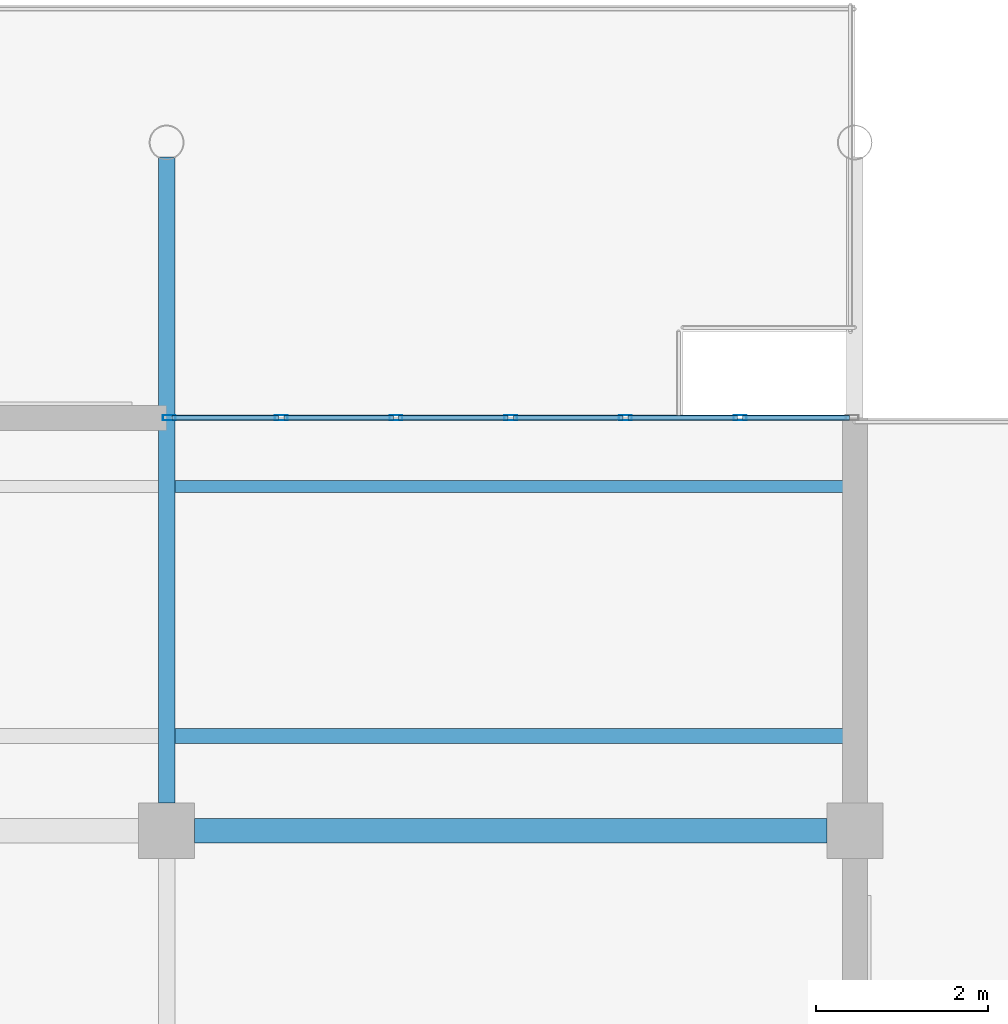
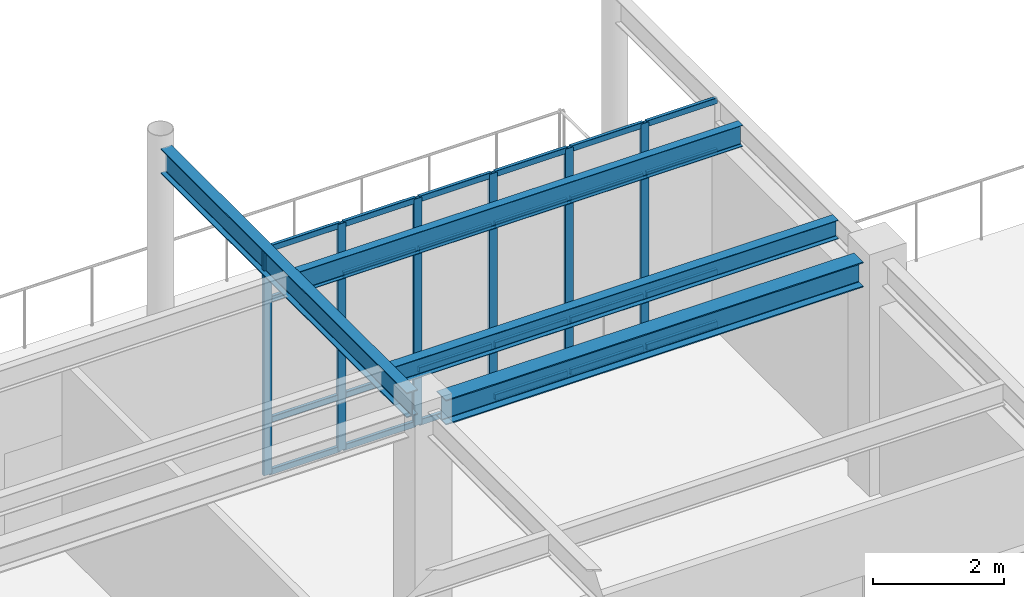
# One storey, part 27 of 75: 30 members, 4 beams, 1 element without a shape of its own.
"""IFC4 building model written with IfcOpenShell, lengths in metres."""

from ifc_helpers import new_model, si_unit, direction, frame, origin, origin_2d, place, context, subcontext, project, spatial, hollow_rectangle, i_section, extrude, material, material_profile, profile_set, type_object, element, aggregate, save


model = new_model("IFC4")

# Units and contexts
model_context = context("Model", 3, precision=1e-05, world=origin(), true_north=direction((0.0, 1.0)))
body_context = subcontext(model_context, "Body", "Model", "MODEL_VIEW")
ifc_project = project(units=[si_unit("LENGTHUNIT", "METRE"), si_unit("AREAUNIT", "SQUARE_METRE"), si_unit("VOLUMEUNIT", "CUBIC_METRE"), si_unit("PLANEANGLEUNIT", "RADIAN"), si_unit("MASSUNIT", "GRAM", prefix="KILO")], contexts=[model_context])

# Site, building, storey
site_placement = place(None, origin())
site = spatial("IfcSite", under=ifc_project, at=site_placement, CompositionType="ELEMENT")
building_placement = place(site_placement, origin())
building = spatial("IfcBuilding", under=site, at=building_placement, Name="Solmirada Galleria", CompositionType="ELEMENT")
storey_placement = place(building_placement, frame((0.0, 0.0, 19.39990234375)))
storey = spatial("IfcBuildingStorey", under=building, at=storey_placement, Name="L04", CompositionType="ELEMENT", Elevation=19.39990234375)

# Beams
ifc_material_1 = material(Name="Steel S355 / ASTM A992 Grade 50", Category="steel")
ifc_material_profile_1 = material_profile(ifc_material_1, i_section(OverallWidth=0.281982421875, OverallDepth=0.467041015625, WebThickness=0.01220703125, FlangeThickness=0.01953125, FilletRadius=0.013916015625, at=origin_2d()), Name="W18X86")
ifc_profile_set_1 = profile_set([ifc_material_profile_1], Name="Steel S355 / ASTM A992 Grade 50")
beam_type_1 = type_object("IfcBeamType", Name="BM-GIRD-W18A", PredefinedType="BEAM", material=ifc_profile_set_1)
beam_1_placement = place(storey_placement, frame((128.324951171875, 24.0, 4.026611328125), z_axis=(1.0, 0.0, 0.0), x_axis=(0.0, 1.0, 0.0)))
element("IfcBeam", 1, at=beam_1_placement, inside=storey, type_object=beam_type_1, Name="Primary beam L05 X(128..136, 24)", PredefinedType="BEAM", context=body_context, shape_type="SweptSolid", body=[
    extrude(i_section(OverallWidth=0.281982421875, OverallDepth=0.467041015625, WebThickness=0.01220703125, FlangeThickness=0.01953125, FilletRadius=0.013916015625, at=origin_2d()), origin(), (0.0, 0.0, 1.0), 7.35009765625),
])
ifc_material_profile_2 = material_profile(ifc_material_1, i_section(OverallWidth=0.193115234375, OverallDepth=0.466064453125, WebThickness=0.011474609375, FlangeThickness=0.01904296875, FilletRadius=0.013916015625, at=origin_2d()), Name="W18X65")
ifc_profile_set_2 = profile_set([ifc_material_profile_2], Name="Steel S355 / ASTM A992 Grade 50")
beam_type_2 = type_object("IfcBeamType", Name="BM-GIRD-W18C", PredefinedType="BEAM", material=ifc_profile_set_2)
beam_2_placement = place(storey_placement, frame((128.0, 24.324951171875, 4.027099609375), z_axis=(0.0, 1.0, 0.0), x_axis=(-1.0, 0.0, 0.0)))
element("IfcBeam", 2, at=beam_2_placement, inside=storey, type_object=beam_type_2, Name="Primary girder L05 Y(128, 24..32)", PredefinedType="BEAM", context=body_context, shape_type="SweptSolid", body=[
    extrude(i_section(OverallWidth=0.193115234375, OverallDepth=0.466064453125, WebThickness=0.011474609375, FlangeThickness=0.01904296875, FilletRadius=0.013916015625, at=origin_2d()), origin(), (0.0, 0.0, 1.0), 7.504638671875),
])
ifc_material_profile_3 = material_profile(ifc_material_1, i_section(OverallWidth=0.1708984375, OverallDepth=0.35205078125, WebThickness=0.0068359375, FlangeThickness=0.009765625, FilletRadius=0.010986328125, at=origin_2d()), Name="W14X30")
ifc_profile_set_3 = profile_set([ifc_material_profile_3], Name="Steel S355 / ASTM A992 Grade 50")
beam_type_3 = type_object("IfcBeamType", Name="BM-JST-W14B", PredefinedType="JOIST", material=ifc_profile_set_3)
beam_3_placement = place(storey_placement, frame((128.096435546875, 25.10009765625, 4.083984375), z_axis=(1.0, 0.0, 0.0), x_axis=(0.0, 1.0, 0.0)))
element("IfcBeam", 3, at=beam_3_placement, inside=storey, type_object=beam_type_3, Name="Terrace deck joist L05-TERR-SE X=128..136 (1)", PredefinedType="JOIST", context=body_context, shape_type="SweptSolid", body=[
    extrude(i_section(OverallWidth=0.1708984375, OverallDepth=0.35205078125, WebThickness=0.0068359375, FlangeThickness=0.009765625, FilletRadius=0.010986328125, at=origin_2d()), origin(), (0.0, 0.0, 1.0), 7.80712890625),
])
ifc_material_profile_4 = material_profile(ifc_material_1, i_section(OverallWidth=0.139892578125, OverallDepth=0.39892578125, WebThickness=0.00634765625, FlangeThickness=0.0087890625, FilletRadius=0.010986328125, at=origin_2d()), Name="W16X26")
ifc_profile_set_4 = profile_set([ifc_material_profile_4], Name="Steel S355 / ASTM A992 Grade 50")
beam_type_4 = type_object("IfcBeamType", Name="BM-JST-W16C", PredefinedType="JOIST", material=ifc_profile_set_4)
beam_4_placement = place(storey_placement, frame((128.096435546875, 28.0, 4.060546875), z_axis=(1.0, 0.0, 0.0), x_axis=(0.0, 1.0, 0.0)))
element("IfcBeam", 4, at=beam_4_placement, inside=storey, type_object=beam_type_4, Name="Composite floor joist L05 (128..136, 28.0)", PredefinedType="JOIST", context=body_context, shape_type="SweptSolid", body=[
    extrude(i_section(OverallWidth=0.139892578125, OverallDepth=0.39892578125, WebThickness=0.00634765625, FlangeThickness=0.0087890625, FilletRadius=0.010986328125, at=origin_2d()), origin(), (0.0, 0.0, 1.0), 7.80712890625),
])

# Curtain wall, members
ifc_material_2 = material(Name="Impact-resistant low-E double glazing", Category="glass")
curtain_wall_type = type_object("IfcCurtainWallType", Name="CW-FZ5-L04-B6-L080", PredefinedType="NOTDEFINED", material=ifc_material_2)
curtain_wall_placement = place(storey_placement, origin())
curtain_wall = element("IfcCurtainWall", 5, at=curtain_wall_placement, inside=storey, type_object=curtain_wall_type, Name="Terrace and arcade storefront CW-L04-162", PredefinedType="NOTDEFINED")
ifc_material_3 = material(Name="Anodised aluminium framing", Category="aluminium")
ifc_material_profile_5 = material_profile(ifc_material_3, hollow_rectangle(XDim=0.06005859375, YDim=0.14990234375, WallThickness=0.00341796875, InnerFilletRadius=0.00341796875, OuterFilletRadius=0.007080078125, at=origin_2d()), Name="ALU-MULL-150X60")
ifc_profile_set_5 = profile_set([ifc_material_profile_5], Name="Anodised aluminium framing")
member_type_1 = type_object("IfcMemberType", Name="CW-MULL-150", PredefinedType="MULLION", material=ifc_profile_set_5)
member_1_placement = place(storey_placement, frame((128.030029296875, 28.800048828125, 0.0), z_axis=(0.0, 0.0, 1.0), x_axis=(0.0, 1.0, 0.0)))
member_1 = element("IfcMember", 6, at=member_1_placement, type_object=member_type_1, Name="CW32 mullion 1", PredefinedType="MULLION", context=body_context, shape_type="SweptSolid", body=[
    extrude(hollow_rectangle(XDim=0.06005859375, YDim=0.14990234375, WallThickness=0.00341796875, InnerFilletRadius=0.00341796875, OuterFilletRadius=0.007080078125, at=origin_2d()), origin(), (0.0, 0.0, 1.0), 4.22021484375),
])
member_2_placement = place(storey_placement, frame((129.333251953125, 28.800048828125, 0.0), z_axis=(0.0, 0.0, 1.0), x_axis=(0.0, 1.0, 0.0)))
member_2 = element("IfcMember", 7, at=member_2_placement, type_object=member_type_1, Name="CW32 mullion 2", PredefinedType="MULLION", context=body_context, shape_type="SweptSolid", body=[
    extrude(hollow_rectangle(XDim=0.06005859375, YDim=0.14990234375, WallThickness=0.00341796875, InnerFilletRadius=0.00341796875, OuterFilletRadius=0.007080078125, at=origin_2d()), origin(), (0.0, 0.0, 1.0), 4.22021484375),
])
member_3_placement = place(storey_placement, frame((130.666748046875, 28.800048828125, 0.0), z_axis=(0.0, 0.0, 1.0), x_axis=(0.0, 1.0, 0.0)))
member_3 = element("IfcMember", 8, at=member_3_placement, type_object=member_type_1, Name="CW32 mullion 3", PredefinedType="MULLION", context=body_context, shape_type="SweptSolid", body=[
    extrude(hollow_rectangle(XDim=0.06005859375, YDim=0.14990234375, WallThickness=0.00341796875, InnerFilletRadius=0.00341796875, OuterFilletRadius=0.007080078125, at=origin_2d()), origin(), (0.0, 0.0, 1.0), 4.22021484375),
])
member_4_placement = place(storey_placement, frame((132.0, 28.800048828125, 0.0), z_axis=(0.0, 0.0, 1.0), x_axis=(0.0, 1.0, 0.0)))
member_4 = element("IfcMember", 9, at=member_4_placement, type_object=member_type_1, Name="CW32 mullion 4", PredefinedType="MULLION", context=body_context, shape_type="SweptSolid", body=[
    extrude(hollow_rectangle(XDim=0.06005859375, YDim=0.14990234375, WallThickness=0.00341796875, InnerFilletRadius=0.00341796875, OuterFilletRadius=0.007080078125, at=origin_2d()), origin(), (0.0, 0.0, 1.0), 4.22021484375),
])
member_5_placement = place(storey_placement, frame((133.333251953125, 28.800048828125, 0.0), z_axis=(0.0, 0.0, 1.0), x_axis=(0.0, 1.0, 0.0)))
member_5 = element("IfcMember", 10, at=member_5_placement, type_object=member_type_1, Name="CW32 mullion 5", PredefinedType="MULLION", context=body_context, shape_type="SweptSolid", body=[
    extrude(hollow_rectangle(XDim=0.06005859375, YDim=0.14990234375, WallThickness=0.00341796875, InnerFilletRadius=0.00341796875, OuterFilletRadius=0.007080078125, at=origin_2d()), origin(), (0.0, 0.0, 1.0), 4.22021484375),
])
member_6_placement = place(storey_placement, frame((134.666748046875, 28.800048828125, 0.0), z_axis=(0.0, 0.0, 1.0), x_axis=(0.0, 1.0, 0.0)))
member_6 = element("IfcMember", 11, at=member_6_placement, type_object=member_type_1, Name="CW32 mullion 6", PredefinedType="MULLION", context=body_context, shape_type="SweptSolid", body=[
    extrude(hollow_rectangle(XDim=0.06005859375, YDim=0.14990234375, WallThickness=0.00341796875, InnerFilletRadius=0.00341796875, OuterFilletRadius=0.007080078125, at=origin_2d()), origin(), (0.0, 0.0, 1.0), 4.22021484375),
])
ifc_material_profile_6 = material_profile(ifc_material_3, hollow_rectangle(XDim=0.06005859375, YDim=0.110107421875, WallThickness=0.003173828125, InnerFilletRadius=0.003173828125, OuterFilletRadius=0.00634765625, at=origin_2d()), Name="ALU-TRAN-110X60")
ifc_profile_set_6 = profile_set([ifc_material_profile_6], Name="Anodised aluminium framing")
member_type_2 = type_object("IfcMemberType", Name="CW-TRAN-110", PredefinedType="USERDEFINED", material=ifc_profile_set_6)
member_7_placement = place(storey_placement, frame((128.06005859375, 28.800048828125, 0.030029296875), z_axis=(1.0, 0.0, 0.0), x_axis=(0.0, 1.0, 0.0)))
member_7 = element("IfcMember", 12, at=member_7_placement, type_object=member_type_2, Name="CW32 transom 1.1", ObjectType="TRANSOM", PredefinedType="USERDEFINED", context=body_context, shape_type="SweptSolid", body=[
    extrude(hollow_rectangle(XDim=0.06005859375, YDim=0.110107421875, WallThickness=0.003173828125, InnerFilletRadius=0.003173828125, OuterFilletRadius=0.00634765625, at=origin_2d()), origin(), (0.0, 0.0, 1.0), 1.2431640625),
])
member_8_placement = place(storey_placement, frame((128.06005859375, 28.800048828125, 1.0), z_axis=(1.0, 0.0, 0.0), x_axis=(0.0, 1.0, 0.0)))
member_8 = element("IfcMember", 13, at=member_8_placement, type_object=member_type_2, Name="CW32 transom 1.2", ObjectType="TRANSOM", PredefinedType="USERDEFINED", context=body_context, shape_type="SweptSolid", body=[
    extrude(hollow_rectangle(XDim=0.06005859375, YDim=0.110107421875, WallThickness=0.003173828125, InnerFilletRadius=0.003173828125, OuterFilletRadius=0.00634765625, at=origin_2d()), origin(), (0.0, 0.0, 1.0), 1.2431640625),
])
member_9_placement = place(storey_placement, frame((128.06005859375, 28.800048828125, 3.239990234375), z_axis=(1.0, 0.0, 0.0), x_axis=(0.0, 1.0, 0.0)))
member_9 = element("IfcMember", 14, at=member_9_placement, type_object=member_type_2, Name="CW32 transom 1.3", ObjectType="TRANSOM", PredefinedType="USERDEFINED", context=body_context, shape_type="SweptSolid", body=[
    extrude(hollow_rectangle(XDim=0.06005859375, YDim=0.110107421875, WallThickness=0.003173828125, InnerFilletRadius=0.003173828125, OuterFilletRadius=0.00634765625, at=origin_2d()), origin(), (0.0, 0.0, 1.0), 1.2431640625),
])
member_10_placement = place(storey_placement, frame((128.06005859375, 28.800048828125, 4.190185546875), z_axis=(1.0, 0.0, 0.0), x_axis=(0.0, 1.0, 0.0)))
member_10 = element("IfcMember", 15, at=member_10_placement, type_object=member_type_2, Name="CW32 transom 1.4", ObjectType="TRANSOM", PredefinedType="USERDEFINED", context=body_context, shape_type="SweptSolid", body=[
    extrude(hollow_rectangle(XDim=0.06005859375, YDim=0.110107421875, WallThickness=0.003173828125, InnerFilletRadius=0.003173828125, OuterFilletRadius=0.00634765625, at=origin_2d()), origin(), (0.0, 0.0, 1.0), 1.2431640625),
])
member_11_placement = place(storey_placement, frame((129.36328125, 28.800048828125, 0.030029296875), z_axis=(1.0, 0.0, 0.0), x_axis=(0.0, 1.0, 0.0)))
member_11 = element("IfcMember", 16, at=member_11_placement, type_object=member_type_2, Name="CW32 transom 2.1", ObjectType="TRANSOM", PredefinedType="USERDEFINED", context=body_context, shape_type="SweptSolid", body=[
    extrude(hollow_rectangle(XDim=0.06005859375, YDim=0.110107421875, WallThickness=0.003173828125, InnerFilletRadius=0.003173828125, OuterFilletRadius=0.00634765625, at=origin_2d()), origin(), (0.0, 0.0, 1.0), 1.2734375),
])
member_12_placement = place(storey_placement, frame((129.36328125, 28.800048828125, 1.0), z_axis=(1.0, 0.0, 0.0), x_axis=(0.0, 1.0, 0.0)))
member_12 = element("IfcMember", 17, at=member_12_placement, type_object=member_type_2, Name="CW32 transom 2.2", ObjectType="TRANSOM", PredefinedType="USERDEFINED", context=body_context, shape_type="SweptSolid", body=[
    extrude(hollow_rectangle(XDim=0.06005859375, YDim=0.110107421875, WallThickness=0.003173828125, InnerFilletRadius=0.003173828125, OuterFilletRadius=0.00634765625, at=origin_2d()), origin(), (0.0, 0.0, 1.0), 1.2734375),
])
member_13_placement = place(storey_placement, frame((129.36328125, 28.800048828125, 3.239990234375), z_axis=(1.0, 0.0, 0.0), x_axis=(0.0, 1.0, 0.0)))
member_13 = element("IfcMember", 18, at=member_13_placement, type_object=member_type_2, Name="CW32 transom 2.3", ObjectType="TRANSOM", PredefinedType="USERDEFINED", context=body_context, shape_type="SweptSolid", body=[
    extrude(hollow_rectangle(XDim=0.06005859375, YDim=0.110107421875, WallThickness=0.003173828125, InnerFilletRadius=0.003173828125, OuterFilletRadius=0.00634765625, at=origin_2d()), origin(), (0.0, 0.0, 1.0), 1.2734375),
])
member_14_placement = place(storey_placement, frame((129.36328125, 28.800048828125, 4.190185546875), z_axis=(1.0, 0.0, 0.0), x_axis=(0.0, 1.0, 0.0)))
member_14 = element("IfcMember", 19, at=member_14_placement, type_object=member_type_2, Name="CW32 transom 2.4", ObjectType="TRANSOM", PredefinedType="USERDEFINED", context=body_context, shape_type="SweptSolid", body=[
    extrude(hollow_rectangle(XDim=0.06005859375, YDim=0.110107421875, WallThickness=0.003173828125, InnerFilletRadius=0.003173828125, OuterFilletRadius=0.00634765625, at=origin_2d()), origin(), (0.0, 0.0, 1.0), 1.2734375),
])
member_15_placement = place(storey_placement, frame((130.69677734375, 28.800048828125, 0.030029296875), z_axis=(1.0, 0.0, 0.0), x_axis=(0.0, 1.0, 0.0)))
member_15 = element("IfcMember", 20, at=member_15_placement, type_object=member_type_2, Name="CW32 transom 3.1", ObjectType="TRANSOM", PredefinedType="USERDEFINED", context=body_context, shape_type="SweptSolid", body=[
    extrude(hollow_rectangle(XDim=0.06005859375, YDim=0.110107421875, WallThickness=0.003173828125, InnerFilletRadius=0.003173828125, OuterFilletRadius=0.00634765625, at=origin_2d()), origin(), (0.0, 0.0, 1.0), 1.273193359375),
])
member_16_placement = place(storey_placement, frame((130.69677734375, 28.800048828125, 1.0), z_axis=(1.0, 0.0, 0.0), x_axis=(0.0, 1.0, 0.0)))
member_16 = element("IfcMember", 21, at=member_16_placement, type_object=member_type_2, Name="CW32 transom 3.2", ObjectType="TRANSOM", PredefinedType="USERDEFINED", context=body_context, shape_type="SweptSolid", body=[
    extrude(hollow_rectangle(XDim=0.06005859375, YDim=0.110107421875, WallThickness=0.003173828125, InnerFilletRadius=0.003173828125, OuterFilletRadius=0.00634765625, at=origin_2d()), origin(), (0.0, 0.0, 1.0), 1.273193359375),
])
member_17_placement = place(storey_placement, frame((130.69677734375, 28.800048828125, 3.239990234375), z_axis=(1.0, 0.0, 0.0), x_axis=(0.0, 1.0, 0.0)))
member_17 = element("IfcMember", 22, at=member_17_placement, type_object=member_type_2, Name="CW32 transom 3.3", ObjectType="TRANSOM", PredefinedType="USERDEFINED", context=body_context, shape_type="SweptSolid", body=[
    extrude(hollow_rectangle(XDim=0.06005859375, YDim=0.110107421875, WallThickness=0.003173828125, InnerFilletRadius=0.003173828125, OuterFilletRadius=0.00634765625, at=origin_2d()), origin(), (0.0, 0.0, 1.0), 1.273193359375),
])
member_18_placement = place(storey_placement, frame((130.69677734375, 28.800048828125, 4.190185546875), z_axis=(1.0, 0.0, 0.0), x_axis=(0.0, 1.0, 0.0)))
member_18 = element("IfcMember", 23, at=member_18_placement, type_object=member_type_2, Name="CW32 transom 3.4", ObjectType="TRANSOM", PredefinedType="USERDEFINED", context=body_context, shape_type="SweptSolid", body=[
    extrude(hollow_rectangle(XDim=0.06005859375, YDim=0.110107421875, WallThickness=0.003173828125, InnerFilletRadius=0.003173828125, OuterFilletRadius=0.00634765625, at=origin_2d()), origin(), (0.0, 0.0, 1.0), 1.273193359375),
])
member_19_placement = place(storey_placement, frame((132.030029296875, 28.800048828125, 0.030029296875), z_axis=(1.0, 0.0, 0.0), x_axis=(0.0, 1.0, 0.0)))
member_19 = element("IfcMember", 24, at=member_19_placement, type_object=member_type_2, Name="CW32 transom 4.1", ObjectType="TRANSOM", PredefinedType="USERDEFINED", context=body_context, shape_type="SweptSolid", body=[
    extrude(hollow_rectangle(XDim=0.06005859375, YDim=0.110107421875, WallThickness=0.003173828125, InnerFilletRadius=0.003173828125, OuterFilletRadius=0.00634765625, at=origin_2d()), origin(), (0.0, 0.0, 1.0), 1.273193359375),
])
member_20_placement = place(storey_placement, frame((132.030029296875, 28.800048828125, 1.0), z_axis=(1.0, 0.0, 0.0), x_axis=(0.0, 1.0, 0.0)))
member_20 = element("IfcMember", 25, at=member_20_placement, type_object=member_type_2, Name="CW32 transom 4.2", ObjectType="TRANSOM", PredefinedType="USERDEFINED", context=body_context, shape_type="SweptSolid", body=[
    extrude(hollow_rectangle(XDim=0.06005859375, YDim=0.110107421875, WallThickness=0.003173828125, InnerFilletRadius=0.003173828125, OuterFilletRadius=0.00634765625, at=origin_2d()), origin(), (0.0, 0.0, 1.0), 1.273193359375),
])
member_21_placement = place(storey_placement, frame((132.030029296875, 28.800048828125, 3.239990234375), z_axis=(1.0, 0.0, 0.0), x_axis=(0.0, 1.0, 0.0)))
member_21 = element("IfcMember", 26, at=member_21_placement, type_object=member_type_2, Name="CW32 transom 4.3", ObjectType="TRANSOM", PredefinedType="USERDEFINED", context=body_context, shape_type="SweptSolid", body=[
    extrude(hollow_rectangle(XDim=0.06005859375, YDim=0.110107421875, WallThickness=0.003173828125, InnerFilletRadius=0.003173828125, OuterFilletRadius=0.00634765625, at=origin_2d()), origin(), (0.0, 0.0, 1.0), 1.273193359375),
])
member_22_placement = place(storey_placement, frame((132.030029296875, 28.800048828125, 4.190185546875), z_axis=(1.0, 0.0, 0.0), x_axis=(0.0, 1.0, 0.0)))
member_22 = element("IfcMember", 27, at=member_22_placement, type_object=member_type_2, Name="CW32 transom 4.4", ObjectType="TRANSOM", PredefinedType="USERDEFINED", context=body_context, shape_type="SweptSolid", body=[
    extrude(hollow_rectangle(XDim=0.06005859375, YDim=0.110107421875, WallThickness=0.003173828125, InnerFilletRadius=0.003173828125, OuterFilletRadius=0.00634765625, at=origin_2d()), origin(), (0.0, 0.0, 1.0), 1.273193359375),
])
member_23_placement = place(storey_placement, frame((133.36328125, 28.800048828125, 0.030029296875), z_axis=(1.0, 0.0, 0.0), x_axis=(0.0, 1.0, 0.0)))
member_23 = element("IfcMember", 28, at=member_23_placement, type_object=member_type_2, Name="CW32 transom 5.1", ObjectType="TRANSOM", PredefinedType="USERDEFINED", context=body_context, shape_type="SweptSolid", body=[
    extrude(hollow_rectangle(XDim=0.06005859375, YDim=0.110107421875, WallThickness=0.003173828125, InnerFilletRadius=0.003173828125, OuterFilletRadius=0.00634765625, at=origin_2d()), origin(), (0.0, 0.0, 1.0), 1.2734375),
])
member_24_placement = place(storey_placement, frame((133.36328125, 28.800048828125, 1.0), z_axis=(1.0, 0.0, 0.0), x_axis=(0.0, 1.0, 0.0)))
member_24 = element("IfcMember", 29, at=member_24_placement, type_object=member_type_2, Name="CW32 transom 5.2", ObjectType="TRANSOM", PredefinedType="USERDEFINED", context=body_context, shape_type="SweptSolid", body=[
    extrude(hollow_rectangle(XDim=0.06005859375, YDim=0.110107421875, WallThickness=0.003173828125, InnerFilletRadius=0.003173828125, OuterFilletRadius=0.00634765625, at=origin_2d()), origin(), (0.0, 0.0, 1.0), 1.2734375),
])
member_25_placement = place(storey_placement, frame((133.36328125, 28.800048828125, 3.239990234375), z_axis=(1.0, 0.0, 0.0), x_axis=(0.0, 1.0, 0.0)))
member_25 = element("IfcMember", 30, at=member_25_placement, type_object=member_type_2, Name="CW32 transom 5.3", ObjectType="TRANSOM", PredefinedType="USERDEFINED", context=body_context, shape_type="SweptSolid", body=[
    extrude(hollow_rectangle(XDim=0.06005859375, YDim=0.110107421875, WallThickness=0.003173828125, InnerFilletRadius=0.003173828125, OuterFilletRadius=0.00634765625, at=origin_2d()), origin(), (0.0, 0.0, 1.0), 1.2734375),
])
member_26_placement = place(storey_placement, frame((133.36328125, 28.800048828125, 4.190185546875), z_axis=(1.0, 0.0, 0.0), x_axis=(0.0, 1.0, 0.0)))
member_26 = element("IfcMember", 31, at=member_26_placement, type_object=member_type_2, Name="CW32 transom 5.4", ObjectType="TRANSOM", PredefinedType="USERDEFINED", context=body_context, shape_type="SweptSolid", body=[
    extrude(hollow_rectangle(XDim=0.06005859375, YDim=0.110107421875, WallThickness=0.003173828125, InnerFilletRadius=0.003173828125, OuterFilletRadius=0.00634765625, at=origin_2d()), origin(), (0.0, 0.0, 1.0), 1.2734375),
])
member_27_placement = place(storey_placement, frame((134.69677734375, 28.800048828125, 0.030029296875), z_axis=(1.0, 0.0, 0.0), x_axis=(0.0, 1.0, 0.0)))
member_27 = element("IfcMember", 32, at=member_27_placement, type_object=member_type_2, Name="CW32 transom 6.1", ObjectType="TRANSOM", PredefinedType="USERDEFINED", context=body_context, shape_type="SweptSolid", body=[
    extrude(hollow_rectangle(XDim=0.06005859375, YDim=0.110107421875, WallThickness=0.003173828125, InnerFilletRadius=0.003173828125, OuterFilletRadius=0.00634765625, at=origin_2d()), origin(), (0.0, 0.0, 1.0), 1.2431640625),
])
member_28_placement = place(storey_placement, frame((134.69677734375, 28.800048828125, 1.0), z_axis=(1.0, 0.0, 0.0), x_axis=(0.0, 1.0, 0.0)))
member_28 = element("IfcMember", 33, at=member_28_placement, type_object=member_type_2, Name="CW32 transom 6.2", ObjectType="TRANSOM", PredefinedType="USERDEFINED", context=body_context, shape_type="SweptSolid", body=[
    extrude(hollow_rectangle(XDim=0.06005859375, YDim=0.110107421875, WallThickness=0.003173828125, InnerFilletRadius=0.003173828125, OuterFilletRadius=0.00634765625, at=origin_2d()), origin(), (0.0, 0.0, 1.0), 1.2431640625),
])
member_29_placement = place(storey_placement, frame((134.69677734375, 28.800048828125, 3.239990234375), z_axis=(1.0, 0.0, 0.0), x_axis=(0.0, 1.0, 0.0)))
member_29 = element("IfcMember", 34, at=member_29_placement, type_object=member_type_2, Name="CW32 transom 6.3", ObjectType="TRANSOM", PredefinedType="USERDEFINED", context=body_context, shape_type="SweptSolid", body=[
    extrude(hollow_rectangle(XDim=0.06005859375, YDim=0.110107421875, WallThickness=0.003173828125, InnerFilletRadius=0.003173828125, OuterFilletRadius=0.00634765625, at=origin_2d()), origin(), (0.0, 0.0, 1.0), 1.2431640625),
])
member_30_placement = place(storey_placement, frame((134.69677734375, 28.800048828125, 4.190185546875), z_axis=(1.0, 0.0, 0.0), x_axis=(0.0, 1.0, 0.0)))
member_30 = element("IfcMember", 35, at=member_30_placement, type_object=member_type_2, Name="CW32 transom 6.4", ObjectType="TRANSOM", PredefinedType="USERDEFINED", context=body_context, shape_type="SweptSolid", body=[
    extrude(hollow_rectangle(XDim=0.06005859375, YDim=0.110107421875, WallThickness=0.003173828125, InnerFilletRadius=0.003173828125, OuterFilletRadius=0.00634765625, at=origin_2d()), origin(), (0.0, 0.0, 1.0), 1.2431640625),
])
aggregate(curtain_wall, [member_1, member_2, member_3, member_4, member_5, member_6, member_7, member_8, member_9, member_10, member_11, member_12, member_13, member_14, member_15, member_16, member_17, member_18, member_19, member_20, member_21, member_22, member_23, member_24, member_25, member_26, member_27, member_28, member_29, member_30])

save(model, "model.ifc")
